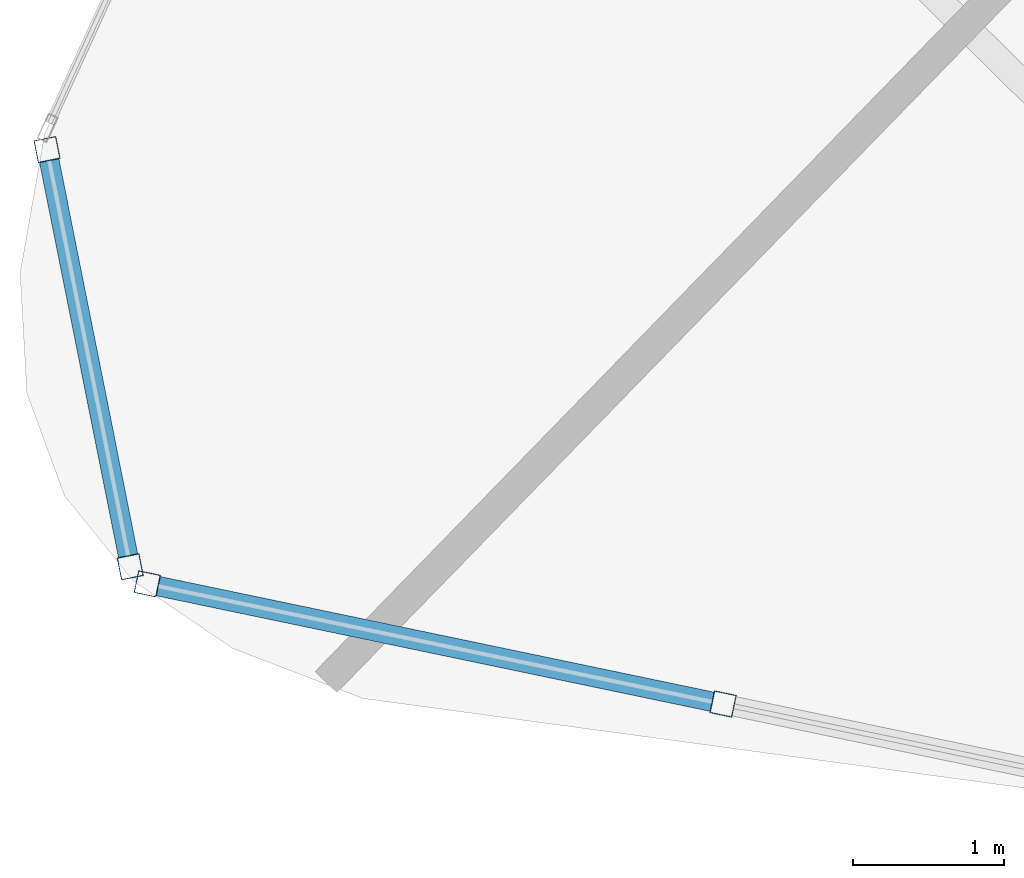
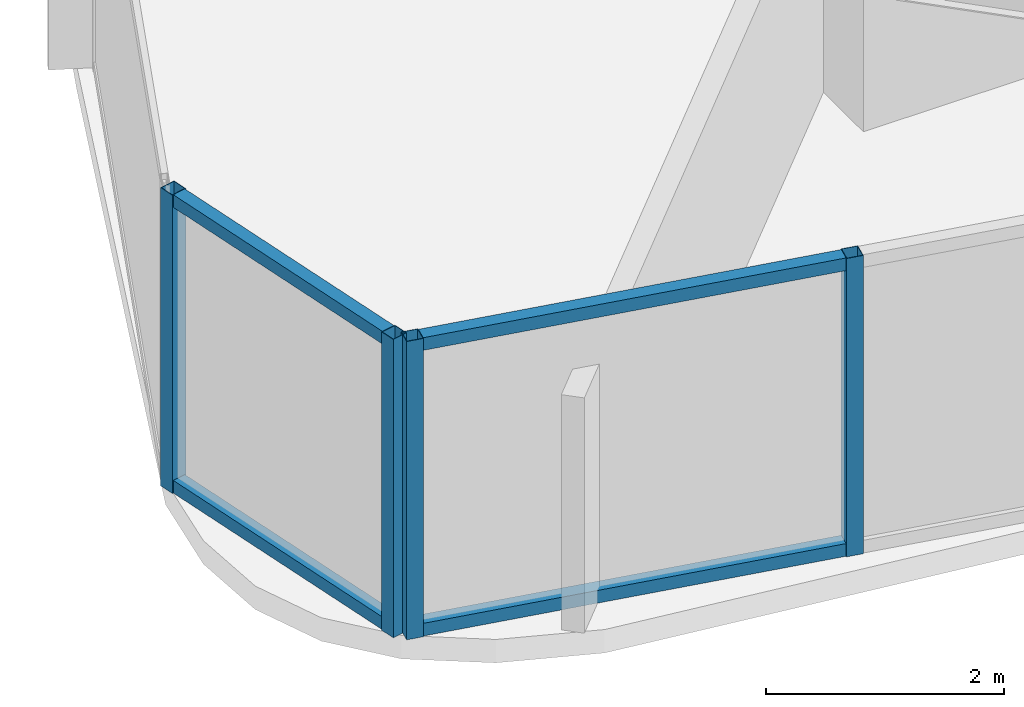
# One storey, part 2 of 33: 8 members, 2 elements without a shape of their own.
"""IFC4 building model written with IfcOpenShell, lengths in metres."""

from ifc_helpers import new_model, si_unit, direction, frame, origin, origin_2d, place, context, subcontext, project, spatial, hollow_rectangle, extrude, material, layer, layer_set, material_profile, profile_set, type_object, element, aggregate, save


model = new_model("IFC4")

# Units and contexts
model_context = context("Model", 3, precision=1e-05, world=origin(), true_north=direction((0.0, 1.0)))
body_context = subcontext(model_context, "Body", "Model", "MODEL_VIEW")
ifc_project = project(units=[si_unit("LENGTHUNIT", "METRE"), si_unit("AREAUNIT", "SQUARE_METRE"), si_unit("VOLUMEUNIT", "CUBIC_METRE"), si_unit("PLANEANGLEUNIT", "RADIAN"), si_unit("MASSUNIT", "GRAM", prefix="KILO")], contexts=[model_context])

# Site, building, storey
site_placement = place(None, origin())
site = spatial("IfcSite", under=ifc_project, at=site_placement, CompositionType="ELEMENT")
building_placement = place(site_placement, origin())
building = spatial("IfcBuilding", under=site, at=building_placement, Name="Orvanel Arch Residences", CompositionType="ELEMENT")
storey_placement = place(building_placement, frame((0.0, 0.0, 84.050048828125)))
storey = spatial("IfcBuildingStorey", under=building, at=storey_placement, Name="L23", CompositionType="ELEMENT", Elevation=84.050048828125)

# Curtain wall, members
ifc_material = material(Name="Bronze-anodised aluminium AA6063-T6", Category="aluminium")
ifc_layer = layer(ifc_material, 0.18994140625)
ifc_layer_set = layer_set([ifc_layer], Name="Bronze-anodised aluminium AA6063-T6")
curtain_wall_type = type_object("IfcCurtainWallType", Name="CW5-CRN-SYS", PredefinedType="NOTDEFINED", material=ifc_layer_set)
curtain_wall_1_placement = place(storey_placement, origin())
curtain_wall_1 = element("IfcCurtainWall", 1, at=curtain_wall_1_placement, inside=storey, type_object=curtain_wall_type, Name="L23 CW5-CRN-SYS Unitised Curtain Wall", PredefinedType="NOTDEFINED")
ifc_material_profile_1 = material_profile(ifc_material, hollow_rectangle(XDim=0.14990234375, YDim=0.14990234375, WallThickness=0.0048828125, at=origin_2d()), Name="ALU150x150x5")
ifc_profile_set_1 = profile_set([ifc_material_profile_1], Name="Bronze-anodised aluminium AA6063-T6")
member_type_1 = type_object("IfcMemberType", Name="MUL-150x150", PredefinedType="MULLION", material=ifc_profile_set_1)
member_1_placement = place(storey_placement, frame((5.78076171875, 7.953369140625, 0.0), z_axis=(0.0, 0.0, 1.0), x_axis=(0.980658473743, 0.195726742876, 0.0)))
member_1 = element("IfcMember", 2, at=member_1_placement, type_object=member_type_1, Name="CW-S5 mullion 1", PredefinedType="MULLION", context=body_context, shape_type="SweptSolid", body=[
    extrude(hollow_rectangle(XDim=0.14990234375, YDim=0.14990234375, WallThickness=0.0048828125, at=origin_2d()), origin(), (0.0, 0.0, 1.0), 3.06005859375),
])
member_2_placement = place(storey_placement, frame((6.331298828125, 5.194580078125, 0.0), z_axis=(0.0, 0.0, 1.0), x_axis=(0.980658473743, 0.195726742876, 0.0)))
member_2 = element("IfcMember", 3, at=member_2_placement, type_object=member_type_1, Name="CW-S5 mullion 2", PredefinedType="MULLION", context=body_context, shape_type="SweptSolid", body=[
    extrude(hollow_rectangle(XDim=0.14990234375, YDim=0.14990234375, WallThickness=0.0048828125, at=origin_2d()), origin(), (0.0, 0.0, 1.0), 3.06005859375),
])

curtain_wall_2_placement = place(storey_placement, origin())
curtain_wall_2 = element("IfcCurtainWall", 4, at=curtain_wall_2_placement, inside=storey, type_object=curtain_wall_type, Name="L23 CW5-CRN-SYS Unitised Curtain Wall", PredefinedType="NOTDEFINED")
member_3_placement = place(storey_placement, frame((6.443359375, 5.081787109375, 0.0), z_axis=(0.0, 0.0, 1.0), x_axis=(0.204281556473, 0.978912174653, 0.0)))
member_3 = element("IfcMember", 5, at=member_3_placement, type_object=member_type_1, Name="CW-S5 mullion 1", PredefinedType="MULLION", context=body_context, shape_type="SweptSolid", body=[
    extrude(hollow_rectangle(XDim=0.14990234375, YDim=0.14990234375, WallThickness=0.0048828125, at=origin_2d()), origin(), (0.0, 0.0, 1.0), 3.06005859375),
])
member_4_placement = place(storey_placement, frame((10.25146484375, 4.287109375, 0.0), z_axis=(0.0, 0.0, 1.0), x_axis=(0.204281556473, 0.978912174653, 0.0)))
member_4 = element("IfcMember", 6, at=member_4_placement, type_object=member_type_1, Name="CW-S5 mullion 2", PredefinedType="MULLION", context=body_context, shape_type="SweptSolid", body=[
    extrude(hollow_rectangle(XDim=0.14990234375, YDim=0.14990234375, WallThickness=0.0048828125, at=origin_2d()), origin(), (0.0, 0.0, 1.0), 3.06005859375),
])

# Member
ifc_material_profile_2 = material_profile(ifc_material, hollow_rectangle(XDim=0.1298828125, YDim=0.1298828125, WallThickness=0.00439453125, at=origin_2d()), Name="ALU130x130x4.5")
ifc_profile_set_2 = profile_set([ifc_material_profile_2], Name="Bronze-anodised aluminium AA6063-T6")
member_type_2 = type_object("IfcMemberType", Name="TRN-130x130", PredefinedType="USERDEFINED", material=ifc_profile_set_2)
member_5_placement = place(storey_placement, frame((5.79541015625, 7.8798828125, 0.06494140625), z_axis=(0.195710664825, -0.980661682576, 0.0), x_axis=(0.980661682576, 0.195710664825, 0.0)))
member_5 = element("IfcMember", 7, at=member_5_placement, type_object=member_type_2, Name="CW-S5 transom 1.1", ObjectType="TRANSOM", PredefinedType="USERDEFINED", context=body_context, shape_type="SweptSolid", body=[
    extrude(hollow_rectangle(XDim=0.1298828125, YDim=0.1298828125, WallThickness=0.00439453125, at=origin_2d()), origin(), (0.0, 0.0, 1.0), 2.663330078125),
])

member_6_placement = place(storey_placement, frame((5.79541015625, 7.8798828125, 2.994873046875), z_axis=(0.195710664825, -0.980661682576, 0.0), x_axis=(0.980661682576, 0.195710664825, 0.0)))
member_6 = element("IfcMember", 8, at=member_6_placement, type_object=member_type_2, Name="CW-S5 transom 1.2", ObjectType="TRANSOM", PredefinedType="USERDEFINED", context=body_context, shape_type="SweptSolid", body=[
    extrude(hollow_rectangle(XDim=0.1298828125, YDim=0.1298828125, WallThickness=0.00439453125, at=origin_2d()), origin(), (0.0, 0.0, 1.0), 2.663330078125),
])

aggregate(curtain_wall_1, [member_1, member_2, member_5, member_6])

member_7_placement = place(storey_placement, frame((6.516845703125, 5.06640625, 0.06494140625), z_axis=(0.978904321121, -0.20431918679, 0.0), x_axis=(0.20431918679, 0.978904321121, 0.0)))
member_7 = element("IfcMember", 9, at=member_7_placement, type_object=member_type_2, Name="CW-S5 transom 1.1", ObjectType="TRANSOM", PredefinedType="USERDEFINED", context=body_context, shape_type="SweptSolid", body=[
    extrude(hollow_rectangle(XDim=0.1298828125, YDim=0.1298828125, WallThickness=0.00439453125, at=origin_2d()), origin(), (0.0, 0.0, 1.0), 3.739990234375),
])

member_8_placement = place(storey_placement, frame((6.516845703125, 5.06640625, 2.994873046875), z_axis=(0.978904321121, -0.20431918679, 0.0), x_axis=(0.20431918679, 0.978904321121, 0.0)))
member_8 = element("IfcMember", 10, at=member_8_placement, type_object=member_type_2, Name="CW-S5 transom 1.2", ObjectType="TRANSOM", PredefinedType="USERDEFINED", context=body_context, shape_type="SweptSolid", body=[
    extrude(hollow_rectangle(XDim=0.1298828125, YDim=0.1298828125, WallThickness=0.00439453125, at=origin_2d()), origin(), (0.0, 0.0, 1.0), 3.739990234375),
])

aggregate(curtain_wall_2, [member_3, member_4, member_7, member_8])

save(model, "model.ifc")
